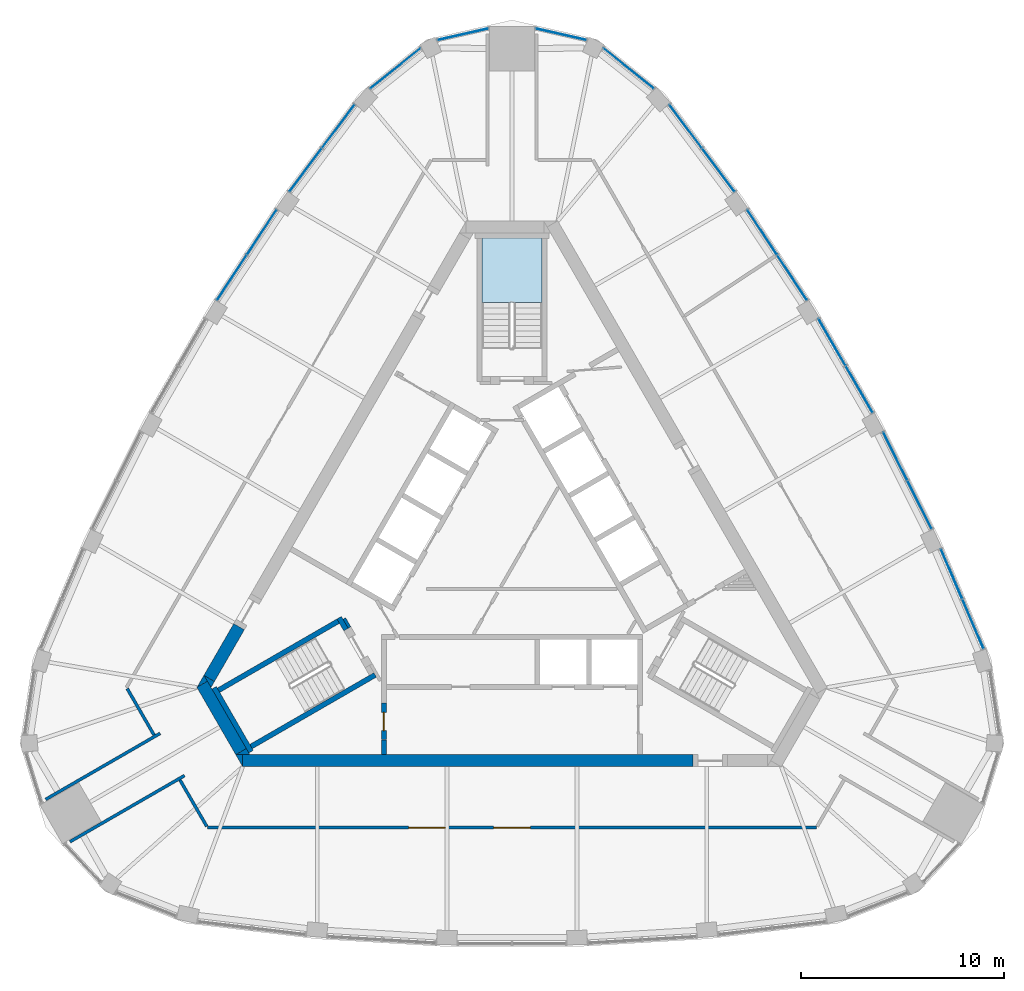
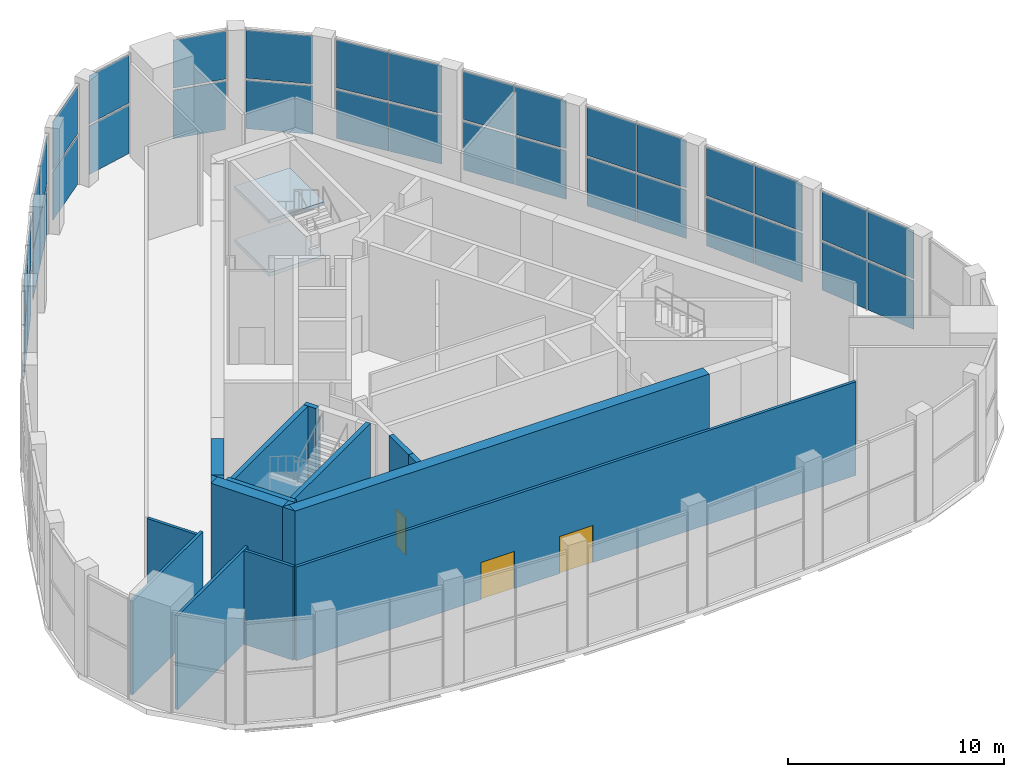
# One storey, part 9 of 15: 36 plates, 19 walls, 3 doors, 2 slabs, 3 openings, 4 elements without a shape of their own.
"""IFC4 building model written with IfcOpenShell, lengths in metres."""

from ifc_helpers import new_model, si_unit, direction, frame, frame_2d, origin, origin_2d, place, context, subcontext, project, spatial, polyline, rectangle, outline, extrude, material, layer, layer_set, type_object, element, fill, aggregate, save


model = new_model("IFC4")

# Units and contexts
model_context = context("Model", 3, precision=1e-05, world=origin(), true_north=direction((0.0, 1.0)))
body_context = subcontext(model_context, "Body", "Model", "MODEL_VIEW")
ifc_project = project(units=[si_unit("LENGTHUNIT", "METRE"), si_unit("AREAUNIT", "SQUARE_METRE"), si_unit("VOLUMEUNIT", "CUBIC_METRE"), si_unit("PLANEANGLEUNIT", "RADIAN"), si_unit("MASSUNIT", "GRAM", prefix="KILO")], contexts=[model_context])

# Site, building, storey
site_placement = place(None, origin())
site = spatial("IfcSite", under=ifc_project, at=site_placement, CompositionType="ELEMENT")
building_placement = place(site_placement, origin())
building = spatial("IfcBuilding", under=site, at=building_placement, Name="Mestral Congress Tower", CompositionType="ELEMENT")
storey_placement = place(building_placement, frame((0.0, 0.0, 321.60009765625)))
storey = spatial("IfcBuildingStorey", under=building, at=storey_placement, Name="L75", CompositionType="ELEMENT", Elevation=321.60009765625)

# Stair, slabs
ifc_material_1 = material(Name="Concrete C60/75", Category="concrete")
stair_type = type_object("IfcStairType", Name="Exit stair 1400", PredefinedType="HALF_TURN_STAIR", material=ifc_material_1)
placement = place(storey_placement, origin())
stair = element("IfcStair", 1, at=placement, inside=storey, type_object=stair_type, Name="L75 ST2", PredefinedType="HALF_TURN_STAIR")
ifc_layer_1 = layer(ifc_material_1, 0.199951171875)
ifc_layer_set_1 = layer_set([ifc_layer_1], Name="Concrete C60/75")
slab_type = type_object("IfcSlabType", Name="Exit stair landing 200", PredefinedType="LANDING", material=ifc_layer_set_1)
slab_1_placement = place(storey_placement, frame((0.0, 0.0, 1.2998046875)))
slab_1 = element("IfcSlab", 2, at=slab_1_placement, type_object=slab_type, Name="ST2 landing 1", PredefinedType="LANDING", context=body_context, shape_type="SweptSolid", body=[
    extrude(outline(polyline([(1.485107421875, 12.580078125), (-1.485107421875, 12.580078125), (-1.485107421875, 15.760009765625), (1.485107421875, 15.760009765625), (1.485107421875, 12.580078125)])), origin(), (0.0, 0.0, 1.0), 0.2001953125),
])
slab_2_placement = place(storey_placement, frame((0.0, 0.0, 4.2998046875)))
slab_2 = element("IfcSlab", 3, at=slab_2_placement, type_object=slab_type, Name="ST2 landing 3", PredefinedType="LANDING", context=body_context, shape_type="SweptSolid", body=[
    extrude(outline(polyline([(1.485107421875, 12.580078125), (-1.485107421875, 12.580078125), (-1.485107421875, 15.760009765625), (1.485107421875, 15.760009765625), (1.485107421875, 12.580078125)])), origin(), (0.0, 0.0, 1.0), 0.2001953125),
])
aggregate(stair, [slab_1, slab_2])

# Curtain wall, plates
ifc_material_2 = material(Name="Clear low-emissivity double glazing", Category="glass")
curtain_wall_type = type_object("IfcCurtainWallType", Name="Facade lookout lounge curtain wall", PredefinedType="USERDEFINED", material=ifc_material_2)
curtain_wall_1 = element("IfcCurtainWall", 4, at=placement, inside=storey, type_object=curtain_wall_type, Name="Facade lookout lounge curtain wall face 2", ObjectType="CURTAIN WALL", PredefinedType="USERDEFINED")
ifc_layer_2 = layer(ifc_material_2, 0.030029296875)
ifc_layer_set_2 = layer_set([ifc_layer_2], Name="Clear low-emissivity double glazing")
plate_type = type_object("IfcPlateType", Name="Facade lookout lounge curtain wall panel", PredefinedType="CURTAIN_PANEL", material=ifc_layer_set_2)
plate_1_placement = place(storey_placement, frame((22.682861328125, -3.226806640625, 0.0), z_axis=(0.0, 0.0, 1.0), x_axis=(-0.39335629896, 0.919386111527, 0.0)))
plate_1 = element("IfcPlate", 5, at=plate_1_placement, type_object=plate_type, Name="Lookout glass unit", PredefinedType="CURTAIN_PANEL", context=body_context, shape_type="SweptSolid", body=[
    extrude(rectangle(XDim=2.632568359375, YDim=0.030029296875, at=origin_2d()), origin(), (0.0, 0.0, 1.0), 2.739990234375),
])
plate_2_placement = place(storey_placement, frame((22.682861328125, -3.226806640625, 2.85986328125), z_axis=(0.0, 0.0, 1.0), x_axis=(-0.39335629896, 0.919386111527, 0.0)))
plate_2 = element("IfcPlate", 6, at=plate_2_placement, type_object=plate_type, Name="Lookout glass unit", PredefinedType="CURTAIN_PANEL", context=body_context, shape_type="SweptSolid", body=[
    extrude(rectangle(XDim=2.632568359375, YDim=0.030029296875, at=origin_2d()), origin(), (0.0, 0.0, 1.0), 2.719970703125),
])
plate_3_placement = place(storey_placement, frame((21.627685546875, -0.760498046875, 0.0), z_axis=(0.0, 0.0, 1.0), x_axis=(-0.39335629896, 0.919386111527, 0.0)))
plate_3 = element("IfcPlate", 7, at=plate_3_placement, type_object=plate_type, Name="Lookout glass unit", PredefinedType="CURTAIN_PANEL", context=body_context, shape_type="SweptSolid", body=[
    extrude(rectangle(XDim=2.632568359375, YDim=0.030029296875, at=origin_2d()), origin(), (0.0, 0.0, 1.0), 2.739990234375),
])
plate_4_placement = place(storey_placement, frame((21.627685546875, -0.760498046875, 2.85986328125), z_axis=(0.0, 0.0, 1.0), x_axis=(-0.39335629896, 0.919386111527, 0.0)))
plate_4 = element("IfcPlate", 8, at=plate_4_placement, type_object=plate_type, Name="Lookout glass unit", PredefinedType="CURTAIN_PANEL", context=body_context, shape_type="SweptSolid", body=[
    extrude(rectangle(XDim=2.632568359375, YDim=0.030029296875, at=origin_2d()), origin(), (0.0, 0.0, 1.0), 2.719970703125),
])
plate_5_placement = place(storey_placement, frame((20.0546875, 2.632080078125, 0.0), z_axis=(0.0, 0.0, 1.0), x_axis=(-0.447468793851, 0.89429954631, 0.0)))
plate_5 = element("IfcPlate", 9, at=plate_5_placement, type_object=plate_type, Name="Lookout glass unit", PredefinedType="CURTAIN_PANEL", context=body_context, shape_type="SweptSolid", body=[
    extrude(rectangle(XDim=2.6279296875, YDim=0.030029296875, at=origin_2d()), origin(), (0.0, 0.0, 1.0), 2.739990234375),
])
plate_6_placement = place(storey_placement, frame((20.0546875, 2.632080078125, 2.85986328125), z_axis=(0.0, 0.0, 1.0), x_axis=(-0.447468793851, 0.89429954631, 0.0)))
plate_6 = element("IfcPlate", 10, at=plate_6_placement, type_object=plate_type, Name="Lookout glass unit", PredefinedType="CURTAIN_PANEL", context=body_context, shape_type="SweptSolid", body=[
    extrude(rectangle(XDim=2.6279296875, YDim=0.030029296875, at=origin_2d()), origin(), (0.0, 0.0, 1.0), 2.719970703125),
])
plate_7_placement = place(storey_placement, frame((18.8564453125, 5.027099609375, 0.0), z_axis=(0.0, 0.0, 1.0), x_axis=(-0.447468793851, 0.89429954631, 0.0)))
plate_7 = element("IfcPlate", 11, at=plate_7_placement, type_object=plate_type, Name="Lookout glass unit", PredefinedType="CURTAIN_PANEL", context=body_context, shape_type="SweptSolid", body=[
    extrude(rectangle(XDim=2.6279296875, YDim=0.030029296875, at=origin_2d()), origin(), (0.0, 0.0, 1.0), 2.739990234375),
])
plate_8_placement = place(storey_placement, frame((18.8564453125, 5.027099609375, 2.85986328125), z_axis=(0.0, 0.0, 1.0), x_axis=(-0.447468793851, 0.89429954631, 0.0)))
plate_8 = element("IfcPlate", 12, at=plate_8_placement, type_object=plate_type, Name="Lookout glass unit", PredefinedType="CURTAIN_PANEL", context=body_context, shape_type="SweptSolid", body=[
    extrude(rectangle(XDim=2.6279296875, YDim=0.030029296875, at=origin_2d()), origin(), (0.0, 0.0, 1.0), 2.719970703125),
])
plate_9_placement = place(storey_placement, frame((17.085205078125, 8.318115234375, 0.0), z_axis=(0.0, 0.0, 1.0), x_axis=(-0.500006045986, 0.866021913105, 0.0)))
plate_9 = element("IfcPlate", 13, at=plate_9_placement, type_object=plate_type, Name="Lookout glass unit", PredefinedType="CURTAIN_PANEL", context=body_context, shape_type="SweptSolid", body=[
    extrude(rectangle(XDim=2.6279296875, YDim=0.030029296875, at=origin_2d()), origin(), (0.0, 0.0, 1.0), 2.739990234375),
])
plate_10_placement = place(storey_placement, frame((17.085205078125, 8.318115234375, 2.85986328125), z_axis=(0.0, 0.0, 1.0), x_axis=(-0.500006045986, 0.866021913105, 0.0)))
plate_10 = element("IfcPlate", 14, at=plate_10_placement, type_object=plate_type, Name="Lookout glass unit", PredefinedType="CURTAIN_PANEL", context=body_context, shape_type="SweptSolid", body=[
    extrude(rectangle(XDim=2.6279296875, YDim=0.030029296875, at=origin_2d()), origin(), (0.0, 0.0, 1.0), 2.719970703125),
])
plate_11_placement = place(storey_placement, frame((15.74609375, 10.63720703125, 0.0), z_axis=(0.0, 0.0, 1.0), x_axis=(-0.500006045986, 0.866021913105, 0.0)))
plate_11 = element("IfcPlate", 15, at=plate_11_placement, type_object=plate_type, Name="Lookout glass unit", PredefinedType="CURTAIN_PANEL", context=body_context, shape_type="SweptSolid", body=[
    extrude(rectangle(XDim=2.6279296875, YDim=0.030029296875, at=origin_2d()), origin(), (0.0, 0.0, 1.0), 2.739990234375),
])
plate_12_placement = place(storey_placement, frame((15.74609375, 10.63720703125, 2.85986328125), z_axis=(0.0, 0.0, 1.0), x_axis=(-0.500006045986, 0.866021913105, 0.0)))
plate_12 = element("IfcPlate", 16, at=plate_12_placement, type_object=plate_type, Name="Lookout glass unit", PredefinedType="CURTAIN_PANEL", context=body_context, shape_type="SweptSolid", body=[
    extrude(rectangle(XDim=2.6279296875, YDim=0.030029296875, at=origin_2d()), origin(), (0.0, 0.0, 1.0), 2.719970703125),
])
plate_13_placement = place(storey_placement, frame((13.78173828125, 13.816650390625, 0.0), z_axis=(0.0, 0.0, 1.0), x_axis=(-0.550742988107, 0.834674883443, 0.0)))
plate_13 = element("IfcPlate", 17, at=plate_13_placement, type_object=plate_type, Name="Lookout glass unit", PredefinedType="CURTAIN_PANEL", context=body_context, shape_type="SweptSolid", body=[
    extrude(rectangle(XDim=2.6279296875, YDim=0.030029296875, at=origin_2d()), origin(), (0.0, 0.0, 1.0), 2.739990234375),
])
plate_14_placement = place(storey_placement, frame((13.78173828125, 13.816650390625, 2.85986328125), z_axis=(0.0, 0.0, 1.0), x_axis=(-0.550742988107, 0.834674883443, 0.0)))
plate_14 = element("IfcPlate", 18, at=plate_14_placement, type_object=plate_type, Name="Lookout glass unit", PredefinedType="CURTAIN_PANEL", context=body_context, shape_type="SweptSolid", body=[
    extrude(rectangle(XDim=2.6279296875, YDim=0.030029296875, at=origin_2d()), origin(), (0.0, 0.0, 1.0), 2.719970703125),
])
plate_15_placement = place(storey_placement, frame((12.306884765625, 16.0517578125, 0.0), z_axis=(0.0, 0.0, 1.0), x_axis=(-0.550742988107, 0.834674883443, 0.0)))
plate_15 = element("IfcPlate", 19, at=plate_15_placement, type_object=plate_type, Name="Lookout glass unit", PredefinedType="CURTAIN_PANEL", context=body_context, shape_type="SweptSolid", body=[
    extrude(rectangle(XDim=2.6279296875, YDim=0.030029296875, at=origin_2d()), origin(), (0.0, 0.0, 1.0), 2.739990234375),
])
plate_16_placement = place(storey_placement, frame((12.306884765625, 16.0517578125, 2.85986328125), z_axis=(0.0, 0.0, 1.0), x_axis=(-0.550742988107, 0.834674883443, 0.0)))
plate_16 = element("IfcPlate", 20, at=plate_16_placement, type_object=plate_type, Name="Lookout glass unit", PredefinedType="CURTAIN_PANEL", context=body_context, shape_type="SweptSolid", body=[
    extrude(rectangle(XDim=2.6279296875, YDim=0.030029296875, at=origin_2d()), origin(), (0.0, 0.0, 1.0), 2.719970703125),
])
plate_17_placement = place(storey_placement, frame((10.155029296875, 19.1103515625, 0.0), z_axis=(0.0, 0.0, 1.0), x_axis=(-0.599541960198, 0.800343325056, 0.0)))
plate_17 = element("IfcPlate", 21, at=plate_17_placement, type_object=plate_type, Name="Lookout glass unit", PredefinedType="CURTAIN_PANEL", context=body_context, shape_type="SweptSolid", body=[
    extrude(rectangle(XDim=2.632568359375, YDim=0.030029296875, at=origin_2d()), origin(), (0.0, 0.0, 1.0), 2.739990234375),
])
plate_18_placement = place(storey_placement, frame((10.155029296875, 19.1103515625, 2.85986328125), z_axis=(0.0, 0.0, 1.0), x_axis=(-0.599541960198, 0.800343325056, 0.0)))
plate_18 = element("IfcPlate", 22, at=plate_18_placement, type_object=plate_type, Name="Lookout glass unit", PredefinedType="CURTAIN_PANEL", context=body_context, shape_type="SweptSolid", body=[
    extrude(rectangle(XDim=2.632568359375, YDim=0.030029296875, at=origin_2d()), origin(), (0.0, 0.0, 1.0), 2.719970703125),
])
plate_19_placement = place(storey_placement, frame((8.546875, 21.25732421875, 0.0), z_axis=(0.0, 0.0, 1.0), x_axis=(-0.599541960198, 0.800343325056, 0.0)))
plate_19 = element("IfcPlate", 23, at=plate_19_placement, type_object=plate_type, Name="Lookout glass unit", PredefinedType="CURTAIN_PANEL", context=body_context, shape_type="SweptSolid", body=[
    extrude(rectangle(XDim=2.632568359375, YDim=0.030029296875, at=origin_2d()), origin(), (0.0, 0.0, 1.0), 2.739990234375),
])
plate_20_placement = place(storey_placement, frame((8.546875, 21.25732421875, 2.85986328125), z_axis=(0.0, 0.0, 1.0), x_axis=(-0.599541960198, 0.800343325056, 0.0)))
plate_20 = element("IfcPlate", 24, at=plate_20_placement, type_object=plate_type, Name="Lookout glass unit", PredefinedType="CURTAIN_PANEL", context=body_context, shape_type="SweptSolid", body=[
    extrude(rectangle(XDim=2.632568359375, YDim=0.030029296875, at=origin_2d()), origin(), (0.0, 0.0, 1.0), 2.719970703125),
])
aggregate(curtain_wall_1, [plate_1, plate_2, plate_3, plate_4, plate_5, plate_6, plate_7, plate_8, plate_9, plate_10, plate_11, plate_12, plate_13, plate_14, plate_15, plate_16, plate_17, plate_18, plate_19, plate_20])

curtain_wall_2 = element("IfcCurtainWall", 25, at=placement, inside=storey, type_object=curtain_wall_type, Name="Facade lookout lounge curtain wall face 3", ObjectType="CURTAIN WALL", PredefinedType="USERDEFINED")
plate_21_placement = place(storey_placement, frame((-8.546875, 21.25732421875, 0.0), z_axis=(0.0, 0.0, 1.0), x_axis=(-0.599541960198, -0.800343325056, 0.0)))
plate_21 = element("IfcPlate", 26, at=plate_21_placement, type_object=plate_type, Name="Lookout glass unit", PredefinedType="CURTAIN_PANEL", context=body_context, shape_type="SweptSolid", body=[
    extrude(rectangle(XDim=2.632568359375, YDim=0.030029296875, at=origin_2d()), origin(), (0.0, 0.0, 1.0), 2.739990234375),
])
plate_22_placement = place(storey_placement, frame((-8.546875, 21.25732421875, 2.85986328125), z_axis=(0.0, 0.0, 1.0), x_axis=(-0.599541960198, -0.800343325056, 0.0)))
plate_22 = element("IfcPlate", 27, at=plate_22_placement, type_object=plate_type, Name="Lookout glass unit", PredefinedType="CURTAIN_PANEL", context=body_context, shape_type="SweptSolid", body=[
    extrude(rectangle(XDim=2.632568359375, YDim=0.030029296875, at=origin_2d()), origin(), (0.0, 0.0, 1.0), 2.719970703125),
])
plate_23_placement = place(storey_placement, frame((-10.155029296875, 19.1103515625, 0.0), z_axis=(0.0, 0.0, 1.0), x_axis=(-0.599541960198, -0.800343325056, 0.0)))
plate_23 = element("IfcPlate", 28, at=plate_23_placement, type_object=plate_type, Name="Lookout glass unit", PredefinedType="CURTAIN_PANEL", context=body_context, shape_type="SweptSolid", body=[
    extrude(rectangle(XDim=2.632568359375, YDim=0.030029296875, at=origin_2d()), origin(), (0.0, 0.0, 1.0), 2.739990234375),
])
plate_24_placement = place(storey_placement, frame((-10.155029296875, 19.1103515625, 2.85986328125), z_axis=(0.0, 0.0, 1.0), x_axis=(-0.599541960198, -0.800343325056, 0.0)))
plate_24 = element("IfcPlate", 29, at=plate_24_placement, type_object=plate_type, Name="Lookout glass unit", PredefinedType="CURTAIN_PANEL", context=body_context, shape_type="SweptSolid", body=[
    extrude(rectangle(XDim=2.632568359375, YDim=0.030029296875, at=origin_2d()), origin(), (0.0, 0.0, 1.0), 2.719970703125),
])
plate_25_placement = place(storey_placement, frame((-12.306884765625, 16.0517578125, 0.0), z_axis=(0.0, 0.0, 1.0), x_axis=(-0.550742988107, -0.834674883443, 0.0)))
plate_25 = element("IfcPlate", 30, at=plate_25_placement, type_object=plate_type, Name="Lookout glass unit", PredefinedType="CURTAIN_PANEL", context=body_context, shape_type="SweptSolid", body=[
    extrude(rectangle(XDim=2.6279296875, YDim=0.030029296875, at=origin_2d()), origin(), (0.0, 0.0, 1.0), 2.739990234375),
])
plate_26_placement = place(storey_placement, frame((-12.306884765625, 16.0517578125, 2.85986328125), z_axis=(0.0, 0.0, 1.0), x_axis=(-0.550742988107, -0.834674883443, 0.0)))
plate_26 = element("IfcPlate", 31, at=plate_26_placement, type_object=plate_type, Name="Lookout glass unit", PredefinedType="CURTAIN_PANEL", context=body_context, shape_type="SweptSolid", body=[
    extrude(rectangle(XDim=2.6279296875, YDim=0.030029296875, at=origin_2d()), origin(), (0.0, 0.0, 1.0), 2.719970703125),
])
plate_27_placement = place(storey_placement, frame((-13.78173828125, 13.816650390625, 0.0), z_axis=(0.0, 0.0, 1.0), x_axis=(-0.550742988107, -0.834674883443, 0.0)))
plate_27 = element("IfcPlate", 32, at=plate_27_placement, type_object=plate_type, Name="Lookout glass unit", PredefinedType="CURTAIN_PANEL", context=body_context, shape_type="SweptSolid", body=[
    extrude(rectangle(XDim=2.6279296875, YDim=0.030029296875, at=origin_2d()), origin(), (0.0, 0.0, 1.0), 2.739990234375),
])
plate_28_placement = place(storey_placement, frame((-13.78173828125, 13.816650390625, 2.85986328125), z_axis=(0.0, 0.0, 1.0), x_axis=(-0.550742988107, -0.834674883443, 0.0)))
plate_28 = element("IfcPlate", 33, at=plate_28_placement, type_object=plate_type, Name="Lookout glass unit", PredefinedType="CURTAIN_PANEL", context=body_context, shape_type="SweptSolid", body=[
    extrude(rectangle(XDim=2.6279296875, YDim=0.030029296875, at=origin_2d()), origin(), (0.0, 0.0, 1.0), 2.719970703125),
])
aggregate(curtain_wall_2, [plate_21, plate_22, plate_23, plate_24, plate_25, plate_26, plate_27, plate_28])

curtain_wall_3 = element("IfcCurtainWall", 34, at=placement, inside=storey, type_object=curtain_wall_type, Name="Facade lookout lounge curtain wall corner 2", ObjectType="CURTAIN WALL", PredefinedType="USERDEFINED")
plate_29_placement = place(storey_placement, frame((5.740478515625, 24.10595703125, 0.0), z_axis=(0.0, 0.0, 1.0), x_axis=(-0.781633702576, 0.623737729336, 0.0)))
plate_29 = element("IfcPlate", 35, at=plate_29_placement, type_object=plate_type, Name="Lookout glass unit", PredefinedType="CURTAIN_PANEL", context=body_context, shape_type="SweptSolid", body=[
    extrude(rectangle(XDim=3.13671875, YDim=0.030029296875, at=origin_2d()), origin(), (0.0, 0.0, 1.0), 2.739990234375),
])
plate_30_placement = place(storey_placement, frame((5.740478515625, 24.10595703125, 2.85986328125), z_axis=(0.0, 0.0, 1.0), x_axis=(-0.781633702576, 0.623737729336, 0.0)))
plate_30 = element("IfcPlate", 36, at=plate_30_placement, type_object=plate_type, Name="Lookout glass unit", PredefinedType="CURTAIN_PANEL", context=body_context, shape_type="SweptSolid", body=[
    extrude(rectangle(XDim=3.13671875, YDim=0.030029296875, at=origin_2d()), origin(), (0.0, 0.0, 1.0), 2.719970703125),
])
plate_31_placement = place(storey_placement, frame((2.412109375, 25.784912109375, 0.0), z_axis=(0.0, 0.0, 1.0), x_axis=(-0.97489933104, 0.222646119072, 0.0)))
plate_31 = element("IfcPlate", 37, at=plate_31_placement, type_object=plate_type, Name="Lookout glass unit", PredefinedType="CURTAIN_PANEL", context=body_context, shape_type="SweptSolid", body=[
    extrude(rectangle(XDim=2.52685546875, YDim=0.030029296875, at=origin_2d()), origin(), (0.0, 0.0, 1.0), 2.739990234375),
])
plate_32_placement = place(storey_placement, frame((2.412109375, 25.784912109375, 2.85986328125), z_axis=(0.0, 0.0, 1.0), x_axis=(-0.97489933104, 0.222646119072, 0.0)))
plate_32 = element("IfcPlate", 38, at=plate_32_placement, type_object=plate_type, Name="Lookout glass unit", PredefinedType="CURTAIN_PANEL", context=body_context, shape_type="SweptSolid", body=[
    extrude(rectangle(XDim=2.52685546875, YDim=0.030029296875, at=origin_2d()), origin(), (0.0, 0.0, 1.0), 2.719970703125),
])
plate_33_placement = place(storey_placement, frame((-2.412109375, 25.784912109375, 0.0), z_axis=(0.0, 0.0, 1.0), x_axis=(-0.97489933104, -0.222646119072, 0.0)))
plate_33 = element("IfcPlate", 39, at=plate_33_placement, type_object=plate_type, Name="Lookout glass unit", PredefinedType="CURTAIN_PANEL", context=body_context, shape_type="SweptSolid", body=[
    extrude(rectangle(XDim=2.52685546875, YDim=0.030029296875, at=origin_2d()), origin(), (0.0, 0.0, 1.0), 2.739990234375),
])
plate_34_placement = place(storey_placement, frame((-2.412109375, 25.784912109375, 2.85986328125), z_axis=(0.0, 0.0, 1.0), x_axis=(-0.97489933104, -0.222646119072, 0.0)))
plate_34 = element("IfcPlate", 40, at=plate_34_placement, type_object=plate_type, Name="Lookout glass unit", PredefinedType="CURTAIN_PANEL", context=body_context, shape_type="SweptSolid", body=[
    extrude(rectangle(XDim=2.52685546875, YDim=0.030029296875, at=origin_2d()), origin(), (0.0, 0.0, 1.0), 2.719970703125),
])
plate_35_placement = place(storey_placement, frame((-5.740478515625, 24.10595703125, 0.0), z_axis=(0.0, 0.0, 1.0), x_axis=(-0.781633702576, -0.623737729336, 0.0)))
plate_35 = element("IfcPlate", 41, at=plate_35_placement, type_object=plate_type, Name="Lookout glass unit", PredefinedType="CURTAIN_PANEL", context=body_context, shape_type="SweptSolid", body=[
    extrude(rectangle(XDim=3.13671875, YDim=0.030029296875, at=origin_2d()), origin(), (0.0, 0.0, 1.0), 2.739990234375),
])
plate_36_placement = place(storey_placement, frame((-5.740478515625, 24.10595703125, 2.85986328125), z_axis=(0.0, 0.0, 1.0), x_axis=(-0.781633702576, -0.623737729336, 0.0)))
plate_36 = element("IfcPlate", 42, at=plate_36_placement, type_object=plate_type, Name="Lookout glass unit", PredefinedType="CURTAIN_PANEL", context=body_context, shape_type="SweptSolid", body=[
    extrude(rectangle(XDim=3.13671875, YDim=0.030029296875, at=origin_2d()), origin(), (0.0, 0.0, 1.0), 2.719970703125),
])
aggregate(curtain_wall_3, [plate_29, plate_30, plate_31, plate_32, plate_33, plate_34, plate_35, plate_36])

# Walls
ifc_material_3 = material(Name="Fire-rated board partition")
ifc_layer_3 = layer(ifc_material_3, 0.14990234375)
ifc_layer_set_3 = layer_set([ifc_layer_3], Name="Fire-rated board partition")
wall_type_1 = type_object("IfcWallType", Name="Core partition 150", PredefinedType="PARTITIONING", material=ifc_layer_set_3)
wall_1_placement = place(storey_placement, frame((-8.251953125, -2.958251953125, 0.0), z_axis=(0.0, 0.0, 1.0), x_axis=(0.500174715838, -0.865924508047, 0.0)))
element("IfcWall", 43, at=wall_1_placement, inside=storey, type_object=wall_type_1, Name="L75 core wall", PredefinedType="PARTITIONING", context=body_context, shape_type="SweptSolid", body=[
    extrude(rectangle(XDim=0.513916015625, YDim=0.14990234375, at=frame_2d((0.2568359375, 0.0))), origin(), (0.0, 0.0, 1.0), 5.2998046875),
])
ifc_layer_4 = layer(ifc_material_1, 0.60009765625)
ifc_layer_set_4 = layer_set([ifc_layer_4], Name="Concrete C60/75")
wall_type_2 = type_object("IfcWallType", Name="Core wall RC 600", PredefinedType="SOLIDWALL", material=ifc_layer_set_4)
wall_2_placement = place(storey_placement, frame((8.904296875, -9.949951171875, 0.0), z_axis=(0.0, 0.0, 1.0), x_axis=(-1.0, 0.0, 0.0)))
element("IfcWall", 44, at=wall_2_placement, inside=storey, type_object=wall_type_2, Name="L75 core wall", PredefinedType="SOLIDWALL", context=body_context, shape_type="SweptSolid", body=[
    extrude(rectangle(XDim=22.160888671875, YDim=0.60009765625, at=frame_2d((11.08056640625, 0.0))), origin(), (0.0, 0.0, 1.0), 6.0),
])
element("IfcWall", 45, at=placement, inside=storey, type_object=wall_type_2, Name="L75 core wall", PredefinedType="SOLIDWALL", context=body_context, shape_type="SweptSolid", body=[
    extrude(outline(polyline([(-13.5966796875, -9.64990234375), (-13.258544921875, -9.64990234375), (-13.258544921875, -10.235595703125), (-13.5966796875, -9.64990234375)])), origin(), (0.0, 0.0, 1.0), 6.0),
])
wall_4_placement = place(storey_placement, frame((-13.33349609375, -9.505615234375, 0.0), z_axis=(0.0, 0.0, 1.0), x_axis=(-0.500019073792, 0.866014391245, 0.0)))
element("IfcWall", 46, at=wall_4_placement, inside=storey, type_object=wall_type_2, Name="L75 core wall", PredefinedType="SOLIDWALL", context=body_context, shape_type="SweptSolid", body=[
    extrude(rectangle(XDim=3.823486328125, YDim=0.60009765625, at=frame_2d((1.91162109375, 0.0))), origin(), (0.0, 0.0, 1.0), 6.0),
])
element("IfcWall", 47, at=placement, inside=storey, type_object=wall_type_2, Name="L75 core wall", PredefinedType="SOLIDWALL", context=body_context, shape_type="SweptSolid", body=[
    extrude(outline(polyline([(-14.986572265625, -6.042724609375), (-15.493408203125, -6.33544921875), (-15.155517578125, -5.75), (-14.986572265625, -6.042724609375)])), origin(), (0.0, 0.0, 1.0), 6.0),
])
element("IfcWall", 48, at=placement, inside=storey, type_object=wall_type_2, Name="L75 core wall", PredefinedType="SOLIDWALL", context=body_context, shape_type="SweptSolid", body=[
    extrude(outline(polyline([(-12.90380859375, -9.64990234375), (-13.579833984375, -9.64990234375), (-13.07275390625, -9.357421875), (-12.90380859375, -9.64990234375)])), origin(), (0.0, 0.0, 1.0), 6.0),
])
wall_7_placement = place(storey_placement, frame((-13.431640625, -3.3642578125, 0.0), z_axis=(0.0, 0.0, 1.0), x_axis=(-0.499960127962, -0.866048422692, 0.0)))
element("IfcWall", 49, at=wall_7_placement, inside=storey, type_object=wall_type_2, Name="L75 core wall", PredefinedType="SOLIDWALL", context=body_context, shape_type="SweptSolid", body=[
    extrude(rectangle(XDim=2.934326171875, YDim=0.60009765625, at=frame_2d((1.46728515625, 0.0))), origin(), (0.0, 0.0, 1.0), 6.0),
])
element("IfcWall", 50, at=placement, inside=storey, type_object=wall_type_2, Name="L75 core wall", PredefinedType="SOLIDWALL", context=body_context, shape_type="SweptSolid", body=[
    extrude(outline(polyline([(-14.80908203125, -6.35009765625), (-15.147216796875, -5.764404296875), (-14.639892578125, -6.057373046875), (-14.80908203125, -6.35009765625)])), origin(), (0.0, 0.0, 1.0), 6.0),
])
ifc_layer_5 = layer(ifc_material_1, 0.25)
ifc_layer_set_5 = layer_set([ifc_layer_5], Name="Concrete C60/75")
wall_type_3 = type_object("IfcWallType", Name="Shaft wall RC 250", PredefinedType="SOLIDWALL", material=ifc_layer_set_5)
wall_9_placement = place(storey_placement, frame((-6.300048828125, -8.9248046875, 0.0), z_axis=(0.0, 0.0, 1.0), x_axis=(0.0, -1.0, 0.0)))
element("IfcWall", 51, at=wall_9_placement, inside=storey, type_object=wall_type_3, Name="L75 core wall", PredefinedType="SOLIDWALL", context=body_context, shape_type="SweptSolid", body=[
    extrude(rectangle(XDim=0.72509765625, YDim=0.25, at=frame_2d((0.362548828125, 0.0))), origin(), (0.0, 0.0, 1.0), 6.0),
])

# Wall, opening, door
wall_10_placement = place(storey_placement, frame((-6.300048828125, -7.12451171875, 0.0), z_axis=(0.0, 0.0, 1.0), x_axis=(0.0, -1.0, 0.0)))
wall_10 = element("IfcWall", 52, at=wall_10_placement, inside=storey, type_object=wall_type_3, Name="L75 door wall", PredefinedType="SOLIDWALL", context=body_context, shape_type="SweptSolid", body=[
    extrude(rectangle(XDim=1.800048828125, YDim=0.25, at=frame_2d((0.89990234375, 0.0))), origin(), (0.0, 0.0, 1.0), 6.0),
])
opening_1_placement = place(wall_10_placement, frame((0.449951171875, 0.0, 0.0)))
opening_1 = element("IfcOpeningElement", 53, at=opening_1_placement, cuts=wall_10, Name="Opening TD3", PredefinedType="OPENING", context=body_context, shape_type="SweptSolid", body=[
    extrude(rectangle(XDim=0.89990234375, YDim=2.10009765625, at=frame_2d((0.449951171875, 1.050048828125))), frame((0.0, 0.135009765625, 0.0), z_axis=(0.0, -1.0, 0.0), x_axis=(1.0, 0.0, 0.0)), (0.0, 0.0, 1.0), 0.27001953125),
])
ifc_material_4 = material(Name="Fire-rated steel door set", Category="steel")
door_type_1 = type_object("IfcDoorType", Name="Core door SR 900x2100", OperationType="SINGLE_SWING_LEFT", PredefinedType="DOOR", material=ifc_material_4)
door_1_placement = place(opening_1_placement, origin())
door_1 = element("IfcDoor", 54, at=door_1_placement, inside=storey, type_object=door_type_1, Name="Door TD3", OperationType="SINGLE_SWING_LEFT", OverallHeight=2.10009765625, OverallWidth=0.89990234375, PredefinedType="DOOR", context=body_context, shape_type="SweptSolid", body=[
    extrude(rectangle(XDim=0.89990234375, YDim=2.10009765625, at=frame_2d((0.449951171875, 1.050048828125))), frame((0.0, 0.02490234375, 0.0), z_axis=(0.0, -1.0, 0.0), x_axis=(1.0, 0.0, 0.0)), (0.0, 0.0, 1.0), 0.050048828125),
])
fill(opening_1, door_1)

# Wall, openings, doors
ifc_layer_6 = layer(ifc_material_3, 0.14990234375)
ifc_layer_set_6 = layer_set([ifc_layer_6], Name="Fire-rated board partition")
wall_type_4 = type_object("IfcWallType", Name="Special partition 150 EI 180", PredefinedType="PARTITIONING", material=ifc_layer_set_6)
wall_11_placement = place(storey_placement, frame((-14.982177734375, -13.25, 0.0), z_axis=(0.0, 0.0, 1.0), x_axis=(1.0, 0.0, 0.0)))
wall_11 = element("IfcWall", 55, at=wall_11_placement, inside=storey, type_object=wall_type_4, Name="Partition", PredefinedType="PARTITIONING", context=body_context, shape_type="SweptSolid", body=[
    extrude(rectangle(XDim=29.96435546875, YDim=0.14990234375, at=frame_2d((14.982177734375, 0.0))), origin(), (0.0, 0.0, 1.0), 5.2998046875),
])
opening_2_placement = place(wall_11_placement, frame((14.082275390625, 0.0, 0.0)))
opening_2 = element("IfcOpeningElement", 56, at=opening_2_placement, cuts=wall_11, Name="Opening T75-003", PredefinedType="OPENING", context=body_context, shape_type="SweptSolid", body=[
    extrude(rectangle(XDim=1.800048828125, YDim=2.10009765625, at=frame_2d((0.89990234375, 1.050048828125))), frame((0.0, 0.0849609375, 0.0), z_axis=(0.0, -1.0, 0.0), x_axis=(1.0, 0.0, 0.0)), (0.0, 0.0, 1.0), 0.169921875),
])
opening_3_placement = place(wall_11_placement, frame((9.8935546875, 0.0, 0.0)))
opening_3 = element("IfcOpeningElement", 57, at=opening_3_placement, cuts=wall_11, Name="Opening T75-004", PredefinedType="OPENING", context=body_context, shape_type="SweptSolid", body=[
    extrude(rectangle(XDim=1.800048828125, YDim=2.10009765625, at=frame_2d((0.89990234375, 1.050048828125))), frame((0.0, 0.0849609375, 0.0), z_axis=(0.0, -1.0, 0.0), x_axis=(1.0, 0.0, 0.0)), (0.0, 0.0, 1.0), 0.169921875),
])
door_type_2 = type_object("IfcDoorType", Name="Assembly double door 1800x2100", OperationType="DOUBLE_DOOR_SINGLE_SWING", PredefinedType="DOOR", material=ifc_material_4)
door_2_placement = place(opening_2_placement, origin())
door_2 = element("IfcDoor", 58, at=door_2_placement, inside=storey, type_object=door_type_2, Name="Door T75-003", OperationType="DOUBLE_DOOR_SINGLE_SWING", OverallHeight=2.10009765625, OverallWidth=1.800048828125, PredefinedType="DOOR", context=body_context, shape_type="SweptSolid", body=[
    extrude(rectangle(XDim=1.800048828125, YDim=2.10009765625, at=frame_2d((0.89990234375, 1.050048828125))), frame((0.0, 0.02490234375, 0.0), z_axis=(0.0, -1.0, 0.0), x_axis=(1.0, 0.0, 0.0)), (0.0, 0.0, 1.0), 0.050048828125),
])
fill(opening_2, door_2)
door_3_placement = place(opening_3_placement, origin())
door_3 = element("IfcDoor", 59, at=door_3_placement, inside=storey, type_object=door_type_2, Name="Door T75-004", OperationType="DOUBLE_DOOR_SINGLE_SWING", OverallHeight=2.10009765625, OverallWidth=1.800048828125, PredefinedType="DOOR", context=body_context, shape_type="SweptSolid", body=[
    extrude(rectangle(XDim=1.800048828125, YDim=2.10009765625, at=frame_2d((0.89990234375, 1.050048828125))), frame((0.0, 0.02490234375, 0.0), z_axis=(0.0, -1.0, 0.0), x_axis=(1.0, 0.0, 0.0)), (0.0, 0.0, 1.0), 0.050048828125),
])
fill(opening_3, door_3)

# Walls
wall_12_placement = place(storey_placement, frame((-16.1142578125, -10.689208984375, 0.0), z_axis=(0.0, 0.0, 1.0), x_axis=(-0.866024344433, -0.500001834845, 0.0)))
element("IfcWall", 60, at=wall_12_placement, inside=storey, type_object=wall_type_4, Name="Partition", PredefinedType="PARTITIONING", context=body_context, shape_type="SweptSolid", body=[
    extrude(rectangle(XDim=6.50537109375, YDim=0.14990234375, at=frame_2d((3.252685546875, 0.0))), origin(), (0.0, 0.0, 1.0), 5.2998046875),
])
wall_13_placement = place(storey_placement, frame((-22.947998046875, -11.86328125, 0.0), z_axis=(0.0, 0.0, 1.0), x_axis=(0.866040594951, 0.499973687205, 0.0)))
element("IfcWall", 61, at=wall_13_placement, inside=storey, type_object=wall_type_4, Name="Partition", PredefinedType="PARTITIONING", context=body_context, shape_type="SweptSolid", body=[
    extrude(rectangle(XDim=6.505126953125, YDim=0.14990234375, at=frame_2d((3.25244140625, 0.0))), origin(), (0.0, 0.0, 1.0), 5.2998046875),
])
wall_14_placement = place(storey_placement, frame((-15.01708984375, -13.189453125, 0.0), z_axis=(0.0, 0.0, 1.0), x_axis=(-0.49998723852, 0.866032771503, 0.0)))
element("IfcWall", 62, at=wall_14_placement, inside=storey, type_object=wall_type_4, Name="Partition", PredefinedType="PARTITIONING", context=body_context, shape_type="SweptSolid", body=[
    extrude(rectangle(XDim=2.6337890625, YDim=0.14990234375, at=frame_2d((1.31689453125, 0.0))), origin(), (0.0, 0.0, 1.0), 5.2998046875),
])
wall_15_placement = place(storey_placement, frame((-17.614013671875, -8.69140625, 0.0), z_axis=(0.0, 0.0, 1.0), x_axis=(-0.500027377864, 0.86600959659, 0.0)))
element("IfcWall", 63, at=wall_15_placement, inside=storey, type_object=wall_type_4, Name="Partition", PredefinedType="PARTITIONING", context=body_context, shape_type="SweptSolid", body=[
    extrude(rectangle(XDim=2.633544921875, YDim=0.14990234375, at=frame_2d((1.31689453125, 0.0))), origin(), (0.0, 0.0, 1.0), 5.2998046875),
])
ifc_layer_7 = layer(ifc_material_1, 0.25)
ifc_layer_set_7 = layer_set([ifc_layer_7], Name="Concrete C60/75")
wall_type_5 = type_object("IfcWallType", Name="Stair wall RC 250", PredefinedType="SOLIDWALL", material=ifc_layer_set_7)
wall_16_placement = place(storey_placement, frame((-12.839599609375, -9.510986328125, 0.0), z_axis=(0.0, 0.0, 1.0), x_axis=(-0.499997733992, 0.866026712061, 0.0)))
element("IfcWall", 64, at=wall_16_placement, inside=storey, type_object=wall_type_5, Name="L75 core wall", PredefinedType="SOLIDWALL", context=body_context, shape_type="SweptSolid", body=[
    extrude(rectangle(XDim=3.6337890625, YDim=0.25, at=frame_2d((1.81689453125, 0.0))), origin(), (0.0, 0.0, 1.0), 6.0),
])
wall_17_placement = place(storey_placement, frame((-14.43994140625, -6.489501953125, 0.0), z_axis=(0.0, 0.0, 1.0), x_axis=(0.866022966069, 0.500004222222, 0.0)))
element("IfcWall", 65, at=wall_17_placement, inside=storey, type_object=wall_type_5, Name="L75 core wall", PredefinedType="SOLIDWALL", context=body_context, shape_type="SweptSolid", body=[
    extrude(rectangle(XDim=6.80029296875, YDim=0.25, at=frame_2d((3.400146484375, 0.0))), origin(), (0.0, 0.0, 1.0), 6.0),
])
wall_18_placement = place(storey_placement, frame((-8.167724609375, -3.503173828125, 0.0), z_axis=(0.0, 0.0, 1.0), x_axis=(-0.499952099219, 0.866053057547, 0.0)))
element("IfcWall", 66, at=wall_18_placement, inside=storey, type_object=wall_type_5, Name="L75 core wall", PredefinedType="SOLIDWALL", context=body_context, shape_type="SweptSolid", body=[
    extrude(rectangle(XDim=0.6748046875, YDim=0.25, at=frame_2d((0.33740234375, 0.0))), origin(), (0.0, 0.0, 1.0), 6.0),
])
wall_19_placement = place(storey_placement, frame((-12.83984375, -9.2607421875, 0.0), z_axis=(0.0, 0.0, 1.0), x_axis=(0.866016039709, 0.500016218704, 0.0)))
element("IfcWall", 67, at=wall_19_placement, inside=storey, type_object=wall_type_5, Name="L75 core wall", PredefinedType="SOLIDWALL", context=body_context, shape_type="SweptSolid", body=[
    extrude(rectangle(XDim=7.050048828125, YDim=0.25, at=frame_2d((3.52490234375, 0.0))), origin(), (0.0, 0.0, 1.0), 6.0),
])

save(model, "model.ifc")
